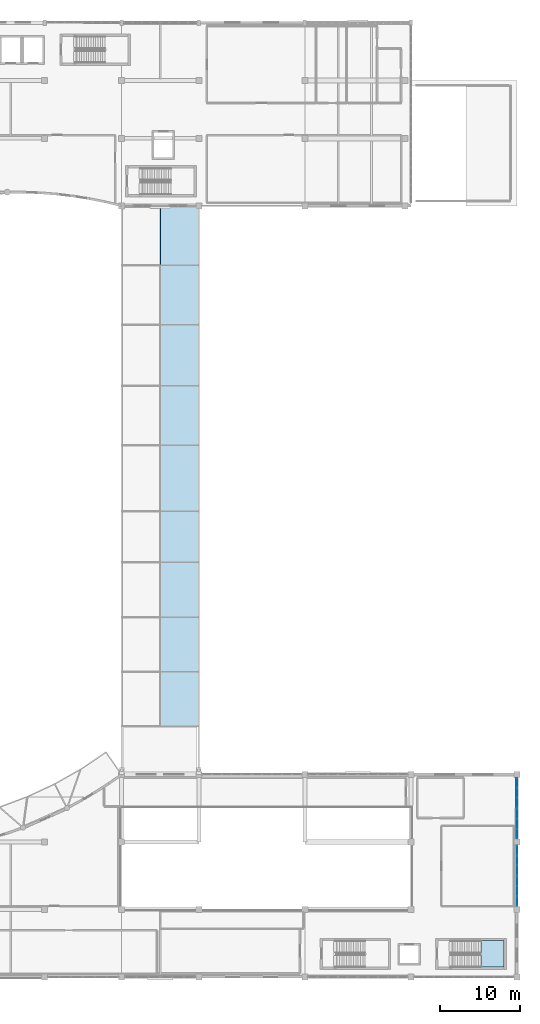
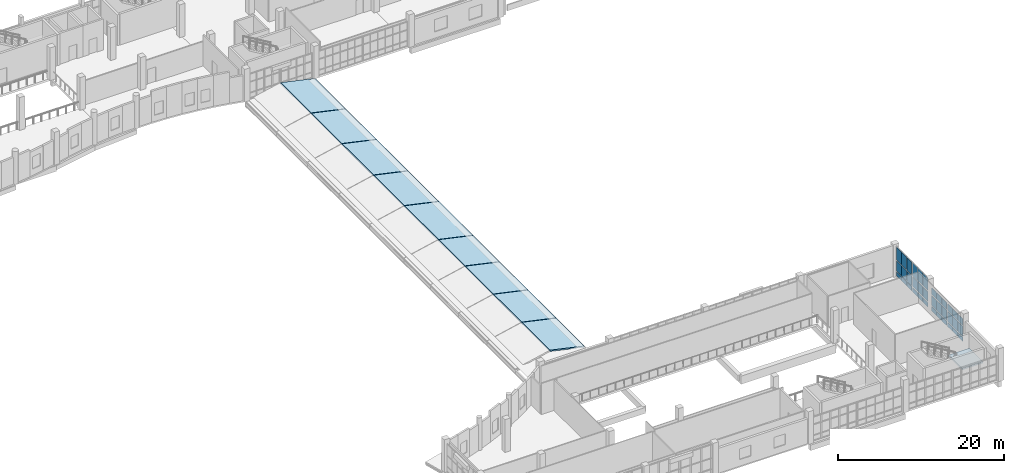
# One storey, part 76 of 106: 36 plates, 10 slabs, 5 elements without a shape of their own.
"""IFC4 building model written with IfcOpenShell, lengths in metres."""

from ifc_helpers import new_model, si_unit, direction, frame, origin, origin_2d, place, context, subcontext, project, spatial, polyline, rectangle, outline, extrude, material, layer, layer_set, type_object, element, aggregate, save


model = new_model("IFC4")

# Units and contexts
model_context = context("Model", 3, precision=1e-05, world=origin(), true_north=direction((0.0, 1.0)))
body_context = subcontext(model_context, "Body", "Model", "MODEL_VIEW")
ifc_project = project(units=[si_unit("LENGTHUNIT", "METRE"), si_unit("AREAUNIT", "SQUARE_METRE"), si_unit("VOLUMEUNIT", "CUBIC_METRE"), si_unit("PLANEANGLEUNIT", "RADIAN"), si_unit("MASSUNIT", "GRAM", prefix="KILO")], contexts=[model_context])

# Site, building, storey
site_placement = place(None, origin())
site = spatial("IfcSite", under=ifc_project, at=site_placement, CompositionType="ELEMENT")
building_placement = place(site_placement, origin())
building = spatial("IfcBuilding", under=site, at=building_placement, Name="Kisaragi Civic Commons", CompositionType="ELEMENT")
storey_placement = place(building_placement, frame((0.0, 0.0, 4.800048828125)))
storey = spatial("IfcBuildingStorey", under=building, at=storey_placement, Name="L01", CompositionType="ELEMENT", Elevation=4.800048828125)

# Curtain wall, plates
ifc_material_1 = material(Name="Thermally broken anodized aluminium and low-E double glazing", Category="aluminium")
ifc_layer_1 = layer(ifc_material_1, 0.2099609375, Name="Thermally broken anodized aluminium and low-E double glazing", Category="aluminium")
ifc_layer_set_1 = layer_set([ifc_layer_1], Name="Thermally broken anodized aluminium and low-E double glazing")
curtain_wall_type = type_object("IfcCurtainWallType", Name="CW-02", PredefinedType="NOTDEFINED", material=ifc_layer_set_1)
curtain_wall_1_placement = place(storey_placement, origin())
curtain_wall_1 = element("IfcCurtainWall", 1, at=curtain_wall_1_placement, inside=storey, type_object=curtain_wall_type, Name="L01 curtain wall CW-02 CW-V3-L01-023", PredefinedType="NOTDEFINED")
ifc_layer_2 = layer(ifc_material_1, 0.0859375, Name="Thermally broken anodized aluminium and low-E double glazing", Category="aluminium")
ifc_layer_set_2 = layer_set([ifc_layer_2], Name="Thermally broken anodized aluminium and low-E double glazing")
plate_type_1 = type_object("IfcPlateType", Name="CWP-12", PredefinedType="CURTAIN_PANEL", material=ifc_layer_set_2)
plate_1_placement = place(storey_placement, frame((172.800048828125, 24.1640625, 0.15966796875), z_axis=(0.0, 0.0, 1.0), x_axis=(0.0, -1.0, 0.0)))
plate_1 = element("IfcPlate", 2, at=plate_1_placement, type_object=plate_type_1, Name="CW-02 panel 1.1", PredefinedType="CURTAIN_PANEL", context=body_context, shape_type="SweptSolid", body=[
    extrude(rectangle(XDim=1.151611328125, YDim=0.0859375, at=origin_2d()), origin(), (0.0, 0.0, 1.0), 0.610107421875),
])
plate_2_placement = place(storey_placement, frame((172.800048828125, 24.1640625, 0.929931640625), z_axis=(0.0, 0.0, 1.0), x_axis=(0.0, -1.0, 0.0)))
plate_2 = element("IfcPlate", 3, at=plate_2_placement, type_object=plate_type_1, Name="CW-02 panel 1.2", PredefinedType="CURTAIN_PANEL", context=body_context, shape_type="SweptSolid", body=[
    extrude(rectangle(XDim=1.151611328125, YDim=0.0859375, at=origin_2d()), origin(), (0.0, 0.0, 1.0), 1.43994140625),
])
plate_3_placement = place(storey_placement, frame((172.800048828125, 24.1640625, 2.52978515625), z_axis=(0.0, 0.0, 1.0), x_axis=(0.0, -1.0, 0.0)))
plate_3 = element("IfcPlate", 4, at=plate_3_placement, type_object=plate_type_1, Name="CW-02 panel 1.3", PredefinedType="CURTAIN_PANEL", context=body_context, shape_type="SweptSolid", body=[
    extrude(rectangle(XDim=1.151611328125, YDim=0.0859375, at=origin_2d()), origin(), (0.0, 0.0, 1.0), 1.85009765625),
])
plate_4_placement = place(storey_placement, frame((172.800048828125, 22.925048828125, 0.15966796875), z_axis=(0.0, 0.0, 1.0), x_axis=(0.0, -1.0, 0.0)))
plate_4 = element("IfcPlate", 5, at=plate_4_placement, type_object=plate_type_1, Name="CW-02 panel 2.1", PredefinedType="CURTAIN_PANEL", context=body_context, shape_type="SweptSolid", body=[
    extrude(rectangle(XDim=1.186767578125, YDim=0.0859375, at=origin_2d()), origin(), (0.0, 0.0, 1.0), 0.610107421875),
])
plate_5_placement = place(storey_placement, frame((172.800048828125, 22.925048828125, 0.929931640625), z_axis=(0.0, 0.0, 1.0), x_axis=(0.0, -1.0, 0.0)))
plate_5 = element("IfcPlate", 6, at=plate_5_placement, type_object=plate_type_1, Name="CW-02 panel 2.2", PredefinedType="CURTAIN_PANEL", context=body_context, shape_type="SweptSolid", body=[
    extrude(rectangle(XDim=1.186767578125, YDim=0.0859375, at=origin_2d()), origin(), (0.0, 0.0, 1.0), 1.43994140625),
])
plate_6_placement = place(storey_placement, frame((172.800048828125, 22.925048828125, 2.52978515625), z_axis=(0.0, 0.0, 1.0), x_axis=(0.0, -1.0, 0.0)))
plate_6 = element("IfcPlate", 7, at=plate_6_placement, type_object=plate_type_1, Name="CW-02 panel 2.3", PredefinedType="CURTAIN_PANEL", context=body_context, shape_type="SweptSolid", body=[
    extrude(rectangle(XDim=1.186767578125, YDim=0.0859375, at=origin_2d()), origin(), (0.0, 0.0, 1.0), 1.85009765625),
])
plate_7_placement = place(storey_placement, frame((172.800048828125, 21.685791015625, 0.15966796875), z_axis=(0.0, 0.0, 1.0), x_axis=(0.0, -1.0, 0.0)))
plate_7 = element("IfcPlate", 8, at=plate_7_placement, type_object=plate_type_1, Name="CW-02 panel 3.1", PredefinedType="CURTAIN_PANEL", context=body_context, shape_type="SweptSolid", body=[
    extrude(rectangle(XDim=1.151611328125, YDim=0.0859375, at=origin_2d()), origin(), (0.0, 0.0, 1.0), 0.610107421875),
])
plate_8_placement = place(storey_placement, frame((172.800048828125, 21.685791015625, 0.929931640625), z_axis=(0.0, 0.0, 1.0), x_axis=(0.0, -1.0, 0.0)))
plate_8 = element("IfcPlate", 9, at=plate_8_placement, type_object=plate_type_1, Name="CW-02 panel 3.2", PredefinedType="CURTAIN_PANEL", context=body_context, shape_type="SweptSolid", body=[
    extrude(rectangle(XDim=1.151611328125, YDim=0.0859375, at=origin_2d()), origin(), (0.0, 0.0, 1.0), 1.43994140625),
])
plate_9_placement = place(storey_placement, frame((172.800048828125, 21.685791015625, 2.52978515625), z_axis=(0.0, 0.0, 1.0), x_axis=(0.0, -1.0, 0.0)))
plate_9 = element("IfcPlate", 10, at=plate_9_placement, type_object=plate_type_1, Name="CW-02 panel 3.3", PredefinedType="CURTAIN_PANEL", context=body_context, shape_type="SweptSolid", body=[
    extrude(rectangle(XDim=1.151611328125, YDim=0.0859375, at=origin_2d()), origin(), (0.0, 0.0, 1.0), 1.85009765625),
])
aggregate(curtain_wall_1, [plate_1, plate_2, plate_3, plate_4, plate_5, plate_6, plate_7, plate_8, plate_9])

curtain_wall_2_placement = place(storey_placement, origin())
curtain_wall_2 = element("IfcCurtainWall", 11, at=curtain_wall_2_placement, inside=storey, type_object=curtain_wall_type, Name="L01 curtain wall CW-02 CW-V3-L01-024", PredefinedType="NOTDEFINED")
ifc_layer_3 = layer(ifc_material_1, 0.0458984375, Name="Thermally broken anodized aluminium and low-E double glazing", Category="aluminium")
ifc_layer_set_3 = layer_set([ifc_layer_3], Name="Thermally broken anodized aluminium and low-E double glazing")
plate_type_2 = type_object("IfcPlateType", Name="CWP-13", PredefinedType="CURTAIN_PANEL", material=ifc_layer_set_3)
plate_10_placement = place(storey_placement, frame((172.800048828125, 20.314208984375, 0.15966796875), z_axis=(0.0, 0.0, 1.0), x_axis=(0.0, -1.0, 0.0)))
plate_10 = element("IfcPlate", 12, at=plate_10_placement, type_object=plate_type_2, Name="CW-02 panel 1.1", PredefinedType="CURTAIN_PANEL", context=body_context, shape_type="SweptSolid", body=[
    extrude(rectangle(XDim=1.151611328125, YDim=0.0458984375, at=origin_2d()), origin(), (0.0, 0.0, 1.0), 0.610107421875),
])
plate_11_placement = place(storey_placement, frame((172.800048828125, 20.314208984375, 0.929931640625), z_axis=(0.0, 0.0, 1.0), x_axis=(0.0, -1.0, 0.0)))
plate_11 = element("IfcPlate", 13, at=plate_11_placement, type_object=plate_type_2, Name="CW-02 panel 1.2", PredefinedType="CURTAIN_PANEL", context=body_context, shape_type="SweptSolid", body=[
    extrude(rectangle(XDim=1.151611328125, YDim=0.0458984375, at=origin_2d()), origin(), (0.0, 0.0, 1.0), 1.43994140625),
])
plate_12_placement = place(storey_placement, frame((172.800048828125, 20.314208984375, 2.52978515625), z_axis=(0.0, 0.0, 1.0), x_axis=(0.0, -1.0, 0.0)))
plate_12 = element("IfcPlate", 14, at=plate_12_placement, type_object=plate_type_2, Name="CW-02 panel 1.3", PredefinedType="CURTAIN_PANEL", context=body_context, shape_type="SweptSolid", body=[
    extrude(rectangle(XDim=1.151611328125, YDim=0.0458984375, at=origin_2d()), origin(), (0.0, 0.0, 1.0), 1.85009765625),
])
plate_13_placement = place(storey_placement, frame((172.800048828125, 19.074951171875, 0.15966796875), z_axis=(0.0, 0.0, 1.0), x_axis=(0.0, -1.0, 0.0)))
plate_13 = element("IfcPlate", 15, at=plate_13_placement, type_object=plate_type_2, Name="CW-02 panel 2.1", PredefinedType="CURTAIN_PANEL", context=body_context, shape_type="SweptSolid", body=[
    extrude(rectangle(XDim=1.186767578125, YDim=0.0458984375, at=origin_2d()), origin(), (0.0, 0.0, 1.0), 0.610107421875),
])
plate_14_placement = place(storey_placement, frame((172.800048828125, 19.074951171875, 0.929931640625), z_axis=(0.0, 0.0, 1.0), x_axis=(0.0, -1.0, 0.0)))
plate_14 = element("IfcPlate", 16, at=plate_14_placement, type_object=plate_type_2, Name="CW-02 panel 2.2", PredefinedType="CURTAIN_PANEL", context=body_context, shape_type="SweptSolid", body=[
    extrude(rectangle(XDim=1.186767578125, YDim=0.0458984375, at=origin_2d()), origin(), (0.0, 0.0, 1.0), 1.43994140625),
])
plate_15_placement = place(storey_placement, frame((172.800048828125, 19.074951171875, 2.52978515625), z_axis=(0.0, 0.0, 1.0), x_axis=(0.0, -1.0, 0.0)))
plate_15 = element("IfcPlate", 17, at=plate_15_placement, type_object=plate_type_2, Name="CW-02 panel 2.3", PredefinedType="CURTAIN_PANEL", context=body_context, shape_type="SweptSolid", body=[
    extrude(rectangle(XDim=1.186767578125, YDim=0.0458984375, at=origin_2d()), origin(), (0.0, 0.0, 1.0), 1.85009765625),
])
plate_16_placement = place(storey_placement, frame((172.800048828125, 17.8359375, 0.15966796875), z_axis=(0.0, 0.0, 1.0), x_axis=(0.0, -1.0, 0.0)))
plate_16 = element("IfcPlate", 18, at=plate_16_placement, type_object=plate_type_2, Name="CW-02 panel 3.1", PredefinedType="CURTAIN_PANEL", context=body_context, shape_type="SweptSolid", body=[
    extrude(rectangle(XDim=1.151611328125, YDim=0.0458984375, at=origin_2d()), origin(), (0.0, 0.0, 1.0), 0.610107421875),
])
plate_17_placement = place(storey_placement, frame((172.800048828125, 17.8359375, 0.929931640625), z_axis=(0.0, 0.0, 1.0), x_axis=(0.0, -1.0, 0.0)))
plate_17 = element("IfcPlate", 19, at=plate_17_placement, type_object=plate_type_2, Name="CW-02 panel 3.2", PredefinedType="CURTAIN_PANEL", context=body_context, shape_type="SweptSolid", body=[
    extrude(rectangle(XDim=1.151611328125, YDim=0.0458984375, at=origin_2d()), origin(), (0.0, 0.0, 1.0), 1.43994140625),
])
plate_18_placement = place(storey_placement, frame((172.800048828125, 17.8359375, 2.52978515625), z_axis=(0.0, 0.0, 1.0), x_axis=(0.0, -1.0, 0.0)))
plate_18 = element("IfcPlate", 20, at=plate_18_placement, type_object=plate_type_2, Name="CW-02 panel 3.3", PredefinedType="CURTAIN_PANEL", context=body_context, shape_type="SweptSolid", body=[
    extrude(rectangle(XDim=1.151611328125, YDim=0.0458984375, at=origin_2d()), origin(), (0.0, 0.0, 1.0), 1.85009765625),
])
aggregate(curtain_wall_2, [plate_10, plate_11, plate_12, plate_13, plate_14, plate_15, plate_16, plate_17, plate_18])

curtain_wall_3_placement = place(storey_placement, origin())
curtain_wall_3 = element("IfcCurtainWall", 21, at=curtain_wall_3_placement, inside=storey, type_object=curtain_wall_type, Name="L01 curtain wall CW-02 CW-V3-L01-025", PredefinedType="NOTDEFINED")
ifc_layer_4 = layer(ifc_material_1, 0.050048828125, Name="Thermally broken anodized aluminium and low-E double glazing", Category="aluminium")
ifc_layer_set_4 = layer_set([ifc_layer_4], Name="Thermally broken anodized aluminium and low-E double glazing")
plate_type_3 = type_object("IfcPlateType", Name="CWP-14", PredefinedType="CURTAIN_PANEL", material=ifc_layer_set_4)
plate_19_placement = place(storey_placement, frame((172.800048828125, 15.76416015625, 0.15966796875), z_axis=(0.0, 0.0, 1.0), x_axis=(0.0, -1.0, 0.0)))
plate_19 = element("IfcPlate", 22, at=plate_19_placement, type_object=plate_type_3, Name="CW-02 panel 1.1", PredefinedType="CURTAIN_PANEL", context=body_context, shape_type="SweptSolid", body=[
    extrude(rectangle(XDim=1.151611328125, YDim=0.050048828125, at=origin_2d()), origin(), (0.0, 0.0, 1.0), 0.610107421875),
])
plate_20_placement = place(storey_placement, frame((172.800048828125, 15.76416015625, 0.929931640625), z_axis=(0.0, 0.0, 1.0), x_axis=(0.0, -1.0, 0.0)))
plate_20 = element("IfcPlate", 23, at=plate_20_placement, type_object=plate_type_3, Name="CW-02 panel 1.2", PredefinedType="CURTAIN_PANEL", context=body_context, shape_type="SweptSolid", body=[
    extrude(rectangle(XDim=1.151611328125, YDim=0.050048828125, at=origin_2d()), origin(), (0.0, 0.0, 1.0), 1.43994140625),
])
plate_21_placement = place(storey_placement, frame((172.800048828125, 15.76416015625, 2.52978515625), z_axis=(0.0, 0.0, 1.0), x_axis=(0.0, -1.0, 0.0)))
plate_21 = element("IfcPlate", 24, at=plate_21_placement, type_object=plate_type_3, Name="CW-02 panel 1.3", PredefinedType="CURTAIN_PANEL", context=body_context, shape_type="SweptSolid", body=[
    extrude(rectangle(XDim=1.151611328125, YDim=0.050048828125, at=origin_2d()), origin(), (0.0, 0.0, 1.0), 0.965087890625),
])
plate_22_placement = place(storey_placement, frame((172.800048828125, 14.52490234375, 0.15966796875), z_axis=(0.0, 0.0, 1.0), x_axis=(0.0, -1.0, 0.0)))
plate_22 = element("IfcPlate", 25, at=plate_22_placement, type_object=plate_type_3, Name="CW-02 panel 2.1", PredefinedType="CURTAIN_PANEL", context=body_context, shape_type="SweptSolid", body=[
    extrude(rectangle(XDim=1.186767578125, YDim=0.050048828125, at=origin_2d()), origin(), (0.0, 0.0, 1.0), 0.610107421875),
])
plate_23_placement = place(storey_placement, frame((172.800048828125, 14.52490234375, 0.929931640625), z_axis=(0.0, 0.0, 1.0), x_axis=(0.0, -1.0, 0.0)))
plate_23 = element("IfcPlate", 26, at=plate_23_placement, type_object=plate_type_3, Name="CW-02 panel 2.2", PredefinedType="CURTAIN_PANEL", context=body_context, shape_type="SweptSolid", body=[
    extrude(rectangle(XDim=1.186767578125, YDim=0.050048828125, at=origin_2d()), origin(), (0.0, 0.0, 1.0), 1.43994140625),
])
plate_24_placement = place(storey_placement, frame((172.800048828125, 14.52490234375, 2.52978515625), z_axis=(0.0, 0.0, 1.0), x_axis=(0.0, -1.0, 0.0)))
plate_24 = element("IfcPlate", 27, at=plate_24_placement, type_object=plate_type_3, Name="CW-02 panel 2.3", PredefinedType="CURTAIN_PANEL", context=body_context, shape_type="SweptSolid", body=[
    extrude(rectangle(XDim=1.186767578125, YDim=0.050048828125, at=origin_2d()), origin(), (0.0, 0.0, 1.0), 0.965087890625),
])
plate_25_placement = place(storey_placement, frame((172.800048828125, 13.285888671875, 0.15966796875), z_axis=(0.0, 0.0, 1.0), x_axis=(0.0, -1.0, 0.0)))
plate_25 = element("IfcPlate", 28, at=plate_25_placement, type_object=plate_type_3, Name="CW-02 panel 3.1", PredefinedType="CURTAIN_PANEL", context=body_context, shape_type="SweptSolid", body=[
    extrude(rectangle(XDim=1.151611328125, YDim=0.050048828125, at=origin_2d()), origin(), (0.0, 0.0, 1.0), 0.610107421875),
])
plate_26_placement = place(storey_placement, frame((172.800048828125, 13.285888671875, 0.929931640625), z_axis=(0.0, 0.0, 1.0), x_axis=(0.0, -1.0, 0.0)))
plate_26 = element("IfcPlate", 29, at=plate_26_placement, type_object=plate_type_3, Name="CW-02 panel 3.2", PredefinedType="CURTAIN_PANEL", context=body_context, shape_type="SweptSolid", body=[
    extrude(rectangle(XDim=1.151611328125, YDim=0.050048828125, at=origin_2d()), origin(), (0.0, 0.0, 1.0), 1.43994140625),
])
plate_27_placement = place(storey_placement, frame((172.800048828125, 13.285888671875, 2.52978515625), z_axis=(0.0, 0.0, 1.0), x_axis=(0.0, -1.0, 0.0)))
plate_27 = element("IfcPlate", 30, at=plate_27_placement, type_object=plate_type_3, Name="CW-02 panel 3.3", PredefinedType="CURTAIN_PANEL", context=body_context, shape_type="SweptSolid", body=[
    extrude(rectangle(XDim=1.151611328125, YDim=0.050048828125, at=origin_2d()), origin(), (0.0, 0.0, 1.0), 0.965087890625),
])
aggregate(curtain_wall_3, [plate_19, plate_20, plate_21, plate_22, plate_23, plate_24, plate_25, plate_26, plate_27])

curtain_wall_4_placement = place(storey_placement, origin())
curtain_wall_4 = element("IfcCurtainWall", 31, at=curtain_wall_4_placement, inside=storey, type_object=curtain_wall_type, Name="L01 curtain wall CW-02 CW-V3-L01-026", PredefinedType="NOTDEFINED")
ifc_layer_5 = layer(ifc_material_1, 0.053955078125, Name="Thermally broken anodized aluminium and low-E double glazing", Category="aluminium")
ifc_layer_set_5 = layer_set([ifc_layer_5], Name="Thermally broken anodized aluminium and low-E double glazing")
plate_type_4 = type_object("IfcPlateType", Name="CWP-15", PredefinedType="CURTAIN_PANEL", material=ifc_layer_set_5)
plate_28_placement = place(storey_placement, frame((172.800048828125, 11.9140625, 0.15966796875), z_axis=(0.0, 0.0, 1.0), x_axis=(0.0, -1.0, 0.0)))
plate_28 = element("IfcPlate", 32, at=plate_28_placement, type_object=plate_type_4, Name="CW-02 panel 1.1", PredefinedType="CURTAIN_PANEL", context=body_context, shape_type="SweptSolid", body=[
    extrude(rectangle(XDim=1.151611328125, YDim=0.053955078125, at=origin_2d()), origin(), (0.0, 0.0, 1.0), 0.610107421875),
])
plate_29_placement = place(storey_placement, frame((172.800048828125, 11.9140625, 0.929931640625), z_axis=(0.0, 0.0, 1.0), x_axis=(0.0, -1.0, 0.0)))
plate_29 = element("IfcPlate", 33, at=plate_29_placement, type_object=plate_type_4, Name="CW-02 panel 1.2", PredefinedType="CURTAIN_PANEL", context=body_context, shape_type="SweptSolid", body=[
    extrude(rectangle(XDim=1.151611328125, YDim=0.053955078125, at=origin_2d()), origin(), (0.0, 0.0, 1.0), 1.43994140625),
])
plate_30_placement = place(storey_placement, frame((172.800048828125, 11.9140625, 2.52978515625), z_axis=(0.0, 0.0, 1.0), x_axis=(0.0, -1.0, 0.0)))
plate_30 = element("IfcPlate", 34, at=plate_30_placement, type_object=plate_type_4, Name="CW-02 panel 1.3", PredefinedType="CURTAIN_PANEL", context=body_context, shape_type="SweptSolid", body=[
    extrude(rectangle(XDim=1.151611328125, YDim=0.053955078125, at=origin_2d()), origin(), (0.0, 0.0, 1.0), 0.965087890625),
])
plate_31_placement = place(storey_placement, frame((172.800048828125, 10.675048828125, 0.15966796875), z_axis=(0.0, 0.0, 1.0), x_axis=(0.0, -1.0, 0.0)))
plate_31 = element("IfcPlate", 35, at=plate_31_placement, type_object=plate_type_4, Name="CW-02 panel 2.1", PredefinedType="CURTAIN_PANEL", context=body_context, shape_type="SweptSolid", body=[
    extrude(rectangle(XDim=1.186767578125, YDim=0.053955078125, at=origin_2d()), origin(), (0.0, 0.0, 1.0), 0.610107421875),
])
plate_32_placement = place(storey_placement, frame((172.800048828125, 10.675048828125, 0.929931640625), z_axis=(0.0, 0.0, 1.0), x_axis=(0.0, -1.0, 0.0)))
plate_32 = element("IfcPlate", 36, at=plate_32_placement, type_object=plate_type_4, Name="CW-02 panel 2.2", PredefinedType="CURTAIN_PANEL", context=body_context, shape_type="SweptSolid", body=[
    extrude(rectangle(XDim=1.186767578125, YDim=0.053955078125, at=origin_2d()), origin(), (0.0, 0.0, 1.0), 1.43994140625),
])
plate_33_placement = place(storey_placement, frame((172.800048828125, 10.675048828125, 2.52978515625), z_axis=(0.0, 0.0, 1.0), x_axis=(0.0, -1.0, 0.0)))
plate_33 = element("IfcPlate", 37, at=plate_33_placement, type_object=plate_type_4, Name="CW-02 panel 2.3", PredefinedType="CURTAIN_PANEL", context=body_context, shape_type="SweptSolid", body=[
    extrude(rectangle(XDim=1.186767578125, YDim=0.053955078125, at=origin_2d()), origin(), (0.0, 0.0, 1.0), 0.965087890625),
])
plate_34_placement = place(storey_placement, frame((172.800048828125, 9.435791015625, 0.15966796875), z_axis=(0.0, 0.0, 1.0), x_axis=(0.0, -1.0, 0.0)))
plate_34 = element("IfcPlate", 38, at=plate_34_placement, type_object=plate_type_4, Name="CW-02 panel 3.1", PredefinedType="CURTAIN_PANEL", context=body_context, shape_type="SweptSolid", body=[
    extrude(rectangle(XDim=1.151611328125, YDim=0.053955078125, at=origin_2d()), origin(), (0.0, 0.0, 1.0), 0.610107421875),
])
plate_35_placement = place(storey_placement, frame((172.800048828125, 9.435791015625, 0.929931640625), z_axis=(0.0, 0.0, 1.0), x_axis=(0.0, -1.0, 0.0)))
plate_35 = element("IfcPlate", 39, at=plate_35_placement, type_object=plate_type_4, Name="CW-02 panel 3.2", PredefinedType="CURTAIN_PANEL", context=body_context, shape_type="SweptSolid", body=[
    extrude(rectangle(XDim=1.151611328125, YDim=0.053955078125, at=origin_2d()), origin(), (0.0, 0.0, 1.0), 1.43994140625),
])
plate_36_placement = place(storey_placement, frame((172.800048828125, 9.435791015625, 2.52978515625), z_axis=(0.0, 0.0, 1.0), x_axis=(0.0, -1.0, 0.0)))
plate_36 = element("IfcPlate", 40, at=plate_36_placement, type_object=plate_type_4, Name="CW-02 panel 3.3", PredefinedType="CURTAIN_PANEL", context=body_context, shape_type="SweptSolid", body=[
    extrude(rectangle(XDim=1.151611328125, YDim=0.053955078125, at=origin_2d()), origin(), (0.0, 0.0, 1.0), 0.965087890625),
])
aggregate(curtain_wall_4, [plate_28, plate_29, plate_30, plate_31, plate_32, plate_33, plate_34, plate_35, plate_36])

# Slabs
ifc_material_2 = material(Name="Concrete Fc30", Category="concrete")
ifc_layer_6 = layer(ifc_material_2, 0.18994140625, Name="Concrete Fc30", Category="concrete")
ifc_layer_set_6 = layer_set([ifc_layer_6], Name="Concrete Fc30")
slab_type_1 = type_object("IfcSlabType", Name="SL-RF2", PredefinedType="ROOF", material=ifc_layer_set_6)
for number, where, z_axis, x_axis, name in (
    (41, (128.429931640625, 31.22998046875, 0.8564453125), (0.214272349937, 0.0, 0.976773955454), (0.976773955454, 0.0, -0.214272349937), "BR-V4-V3 gable roof facet 14"),
    (42, (128.429931640625, 38.030029296875, 0.8564453125), (0.214272349937, 0.0, 0.976773955454), (0.976773955454, 0.0, -0.214272349937), "BR-V4-V3 gable roof facet 16"),
    (43, (128.429931640625, 44.830078125, 0.8564453125), (0.214272349937, 0.0, 0.976773955454), (0.976773955454, 0.0, -0.214272349937), "BR-V4-V3 gable roof facet 18"),
):
    element("IfcSlab", number, at=place(storey_placement, frame(where, z_axis=z_axis, x_axis=x_axis)), inside=storey, type_object=slab_type_1, Name=name, PredefinedType="ROOF", context=body_context, shape_type="SweptSolid", body=[
        extrude(outline(polyline([(0.0, 0.0), (4.883442586299429, 0.0), (4.883442586299429, 6.739990234375), (0.0, 6.739990234375), (0.0, 0.0)])), origin(), (0.0, 0.0, -1.0), 0.18994140625),
    ])
slab_1_placement = place(storey_placement, frame((128.429931640625, 51.6298828125, 0.8564453125), z_axis=(0.214272349937, 0.0, 0.976773955454), x_axis=(0.976773955454, 0.0, -0.214272349937)))
element("IfcSlab", 44, at=slab_1_placement, inside=storey, type_object=slab_type_1, Name="BR-V4-V3 gable roof facet 20", PredefinedType="ROOF", context=body_context, shape_type="SweptSolid", body=[
    extrude(outline(polyline([(0.0, 0.0), (4.883442586299429, 0.0), (4.883442586299429, 6.340087890624999), (0.0, 6.340087890624999), (0.0, 0.0)])), origin(), (0.0, 0.0, -1.0), 0.18994140625),
])
slab_2_placement = place(storey_placement, frame((128.429931640625, 58.030029296875, 0.8564453125), z_axis=(0.214272349937, 0.0, 0.976773955454), x_axis=(0.976773955454, 0.0, -0.214272349937)))
element("IfcSlab", 45, at=slab_2_placement, inside=storey, type_object=slab_type_1, Name="BR-V4-V3 gable roof facet 22", PredefinedType="ROOF", context=body_context, shape_type="SweptSolid", body=[
    extrude(outline(polyline([(0.0, 0.0), (4.883442586299429, 0.0), (4.883442586299429, 8.139892578124998), (0.0, 8.139892578124998), (0.0, 0.0)])), origin(), (0.0, 0.0, -1.0), 0.18994140625),
])
slab_3_placement = place(storey_placement, frame((128.429931640625, 66.22998046875, 0.8564453125), z_axis=(0.214272349937, 0.0, 0.976773955454), x_axis=(0.976773955454, 0.0, -0.214272349937)))
element("IfcSlab", 46, at=slab_3_placement, inside=storey, type_object=slab_type_1, Name="BR-V4-V3 gable roof facet 24", PredefinedType="ROOF", context=body_context, shape_type="SweptSolid", body=[
    extrude(outline(polyline([(0.0, 0.0), (4.883442586299429, 0.0), (4.883442586299429, 7.340087890624999), (0.0, 7.340087890624999), (0.0, 0.0)])), origin(), (0.0, 0.0, -1.0), 0.18994140625),
])
slab_4_placement = place(storey_placement, frame((128.429931640625, 73.6298828125, 0.8564453125), z_axis=(0.214272349937, 0.0, 0.976773955454), x_axis=(0.976773955454, 0.0, -0.214272349937)))
element("IfcSlab", 47, at=slab_4_placement, inside=storey, type_object=slab_type_1, Name="BR-V4-V3 gable roof facet 26", PredefinedType="ROOF", context=body_context, shape_type="SweptSolid", body=[
    extrude(outline(polyline([(0.0, 0.0), (4.883442586299429, 0.0), (4.883442586299429, 7.5400390625), (0.0, 7.5400390625), (0.0, 0.0)])), origin(), (0.0, 0.0, -1.0), 0.18994140625),
])
for number, where, z_axis, x_axis, name in (
    (48, (128.429931640625, 81.22998046875, 0.8564453125), (0.214272349937, 0.0, 0.976773955454), (0.976773955454, 0.0, -0.214272349937), "BR-V4-V3 gable roof facet 28"),
    (49, (128.429931640625, 88.6298828125, 0.8564453125), (0.214272349937, 0.0, 0.976773955454), (0.976773955454, 0.0, -0.214272349937), "BR-V4-V3 gable roof facet 30"),
):
    element("IfcSlab", number, at=place(storey_placement, frame(where, z_axis=z_axis, x_axis=x_axis)), inside=storey, type_object=slab_type_1, Name=name, PredefinedType="ROOF", context=body_context, shape_type="SweptSolid", body=[
        extrude(outline(polyline([(0.0, 0.0), (4.883442586299429, 0.0), (4.883442586299429, 7.340087890624999), (0.0, 7.340087890624999), (0.0, 0.0)])), origin(), (0.0, 0.0, -1.0), 0.18994140625),
    ])

# Stair, slab
stair_type = type_object("IfcStairType", Name="ST-A", PredefinedType="HALF_TURN_STAIR", material=ifc_material_2)
stair_placement = place(storey_placement, origin())
stair = element("IfcStair", 50, at=stair_placement, inside=storey, type_object=stair_type, Name="L01 Stair ST-D2", PredefinedType="HALF_TURN_STAIR")
ifc_layer_7 = layer(ifc_material_2, 0.199951171875, Name="Concrete Fc30", Category="concrete")
ifc_layer_set_7 = layer_set([ifc_layer_7], Name="Concrete Fc30")
slab_type_2 = type_object("IfcSlabType", Name="STL-01", PredefinedType="LANDING", material=ifc_layer_set_7)
slab_5_placement = place(storey_placement, frame((0.0, 0.0, 2.199951171875)))
slab_5 = element("IfcSlab", 51, at=slab_5_placement, type_object=slab_type_2, Name="ST-D2 landing 1", PredefinedType="LANDING", context=body_context, shape_type="SweptSolid", body=[
    extrude(outline(polyline([(168.320068359375, 1.199951171875), (171.199951171875, 1.199951171875), (171.199951171875, 4.5), (168.320068359375, 4.5), (168.320068359375, 1.199951171875)])), origin(), (0.0, 0.0, 1.0), 0.199951171875),
])
aggregate(stair, [slab_5])

save(model, "model.ifc")
